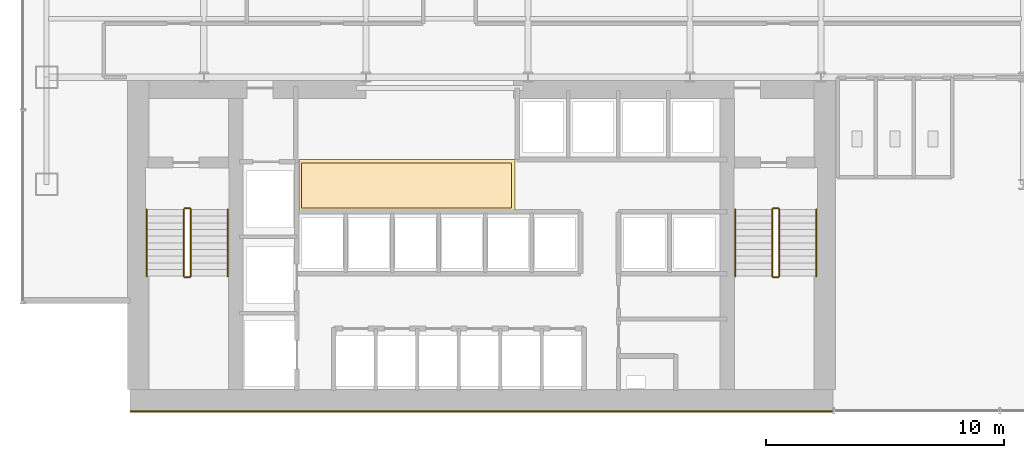
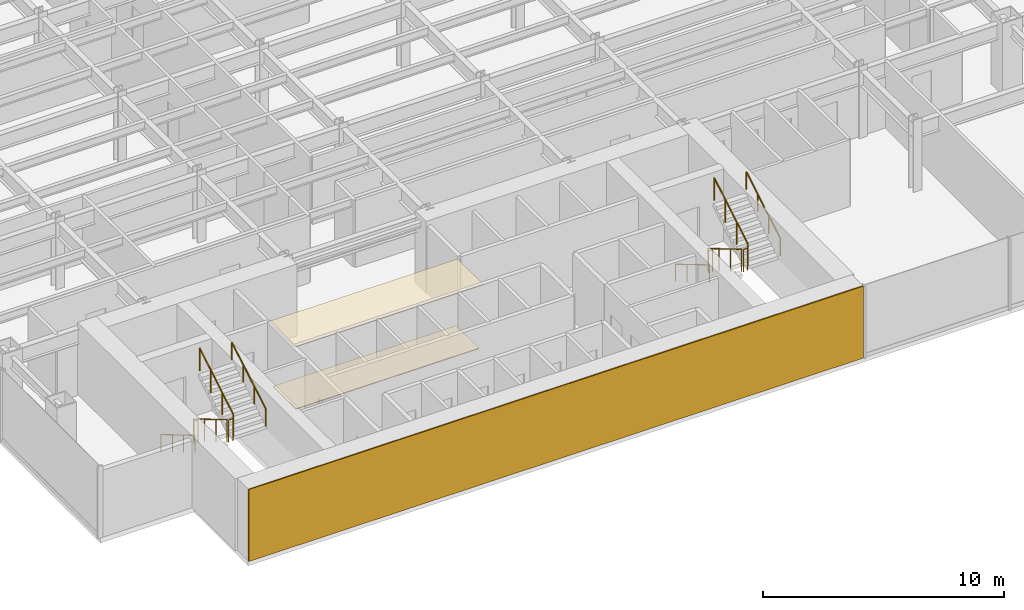
# One storey, part 20 of 22: 12 railings, 3 coverings.
"""IFC4 building model written with IfcOpenShell, lengths in metres."""

import ifcopenshell
import ifcopenshell.guid

model = None  # the IFC model being written
_history = None  # IfcOwnerHistory: only IFC2X3 demands one
_inside = {}  # id of a spatial element -> (the spatial element, [elements in it])
_under = {}  # id of a project, library or spatial element -> (it, [spatial elements below it])
_declared = {}  # id of a project -> (the project, [libraries it declares])
_typed = {}  # id of a type object -> (the type object, [elements of that type])
_made_of = {}  # id of a material, layer set ... -> (it, [elements and type objects made of it])


def new_model(schema):
    """Start an empty IFC model of exactly this schema.

    Asked for "IFC4X3", IfcOpenShell would pick the latest addendum, in which some entities
    have other attributes; the version numbers below select the first issue.
    IFC2X3 requires an IfcOwnerHistory on every rooted entity: one is made here for all.
    """
    global model, _history
    if schema == "IFC4X3":
        model = ifcopenshell.file(schema_version=(4, 3, 0, 0))
    else:
        model = ifcopenshell.file(schema=schema)
    _inside.clear()
    _under.clear()
    _declared.clear()
    _typed.clear()
    _made_of.clear()
    _history = None
    if model.schema == "IFC2X3":
        org = make("IfcOrganization", Name="unknown")
        user = make(
            "IfcPersonAndOrganization",
            ThePerson=make("IfcPerson", FamilyName="unknown"),
            TheOrganization=org,
        )
        app = make(
            "IfcApplication",
            ApplicationDeveloper=org,
            Version="unknown",
            ApplicationFullName="unknown",
            ApplicationIdentifier="unknown",
        )
        _history = make(
            "IfcOwnerHistory",
            OwningUser=user,
            OwningApplication=app,
            ChangeAction="ADDED",
            CreationDate=0,
        )
    return model


def make(cls, **values):
    """One entity of the class cls with the attributes given. An attribute that is None is left unset."""
    return model.create_entity(
        cls, **{name: value for name, value in values.items() if value is not None}
    )


def rooted(cls, **values):
    """An entity with a GlobalId (a new one), such as an element, a storey or a relation."""
    return make(cls, GlobalId=ifcopenshell.guid.new(), OwnerHistory=_history, **values)


def si_unit(unit_type, name, prefix=None):
    """IfcSIUnit, for example si_unit("LENGTHUNIT", "METRE", prefix="MILLI")."""
    return make("IfcSIUnit", UnitType=unit_type, Prefix=prefix, Name=name)


def derived_unit(unit_type, elements):
    """IfcDerivedUnit: a product of units, each with its exponent."""
    return make(
        "IfcDerivedUnit",
        Elements=[
            make("IfcDerivedUnitElement", Unit=unit, Exponent=power)
            for unit, power in elements
        ],
        UnitType=unit_type,
    )


def assignment(units):
    """IfcUnitAssignment: the units of a project."""
    return None if units is None else make("IfcUnitAssignment", Units=units)


def point(xyz):
    """IfcCartesianPoint."""
    return None if xyz is None else make("IfcCartesianPoint", Coordinates=xyz)


def direction(xyz):
    """IfcDirection."""
    return None if xyz is None else make("IfcDirection", DirectionRatios=xyz)


def frame(location, z_axis=None, x_axis=None):
    """IfcAxis2Placement3D, a coordinate frame: its origin and axes. An axis left out is left unset."""
    return make(
        "IfcAxis2Placement3D",
        Location=point(location),
        Axis=direction(z_axis),
        RefDirection=direction(x_axis),
    )


def frame_2d(location, x_axis=None):
    """IfcAxis2Placement2D, a coordinate frame in the plane: its origin and x axis."""
    return make(
        "IfcAxis2Placement2D", Location=point(location), RefDirection=direction(x_axis)
    )


def origin():
    """The frame at (0, 0, 0) with its axes left unset."""
    return frame((0.0, 0.0, 0.0))


def origin_2d():
    """The frame at (0, 0) in the plane with its x axis left unset."""
    return frame_2d((0.0, 0.0))


def place(relative_to, where):
    """IfcLocalPlacement: puts the frame where relative to a parent placement (None: the world)."""
    return make(
        "IfcLocalPlacement", PlacementRelTo=relative_to, RelativePlacement=where
    )


def context(
    kind, dimensions, precision=None, world=None, true_north=None, identifier=None
):
    """IfcGeometricRepresentationContext, for example the 3D "Model" context."""
    return make(
        "IfcGeometricRepresentationContext",
        ContextIdentifier=identifier,
        ContextType=kind,
        CoordinateSpaceDimension=dimensions,
        Precision=precision,
        WorldCoordinateSystem=world,
        TrueNorth=true_north,
    )


def subcontext(parent, identifier, kind, view, scale=None):
    """IfcGeometricRepresentationSubContext, for example "Body" below "Model"."""
    return make(
        "IfcGeometricRepresentationSubContext",
        ContextIdentifier=identifier,
        ContextType=kind,
        ParentContext=parent,
        TargetScale=scale,
        TargetView=view,
    )


def project(units=None, contexts=None):
    """IfcProject with its units and contexts."""
    return rooted(
        "IfcProject",
        Name="project",
        RepresentationContexts=contexts,
        UnitsInContext=assignment(units),
    )


def spatial(cls, under=None, at=None, **own):
    """A site, building, storey or space (cls), placed at a placement, below another one or the project."""
    s = rooted(cls, ObjectPlacement=at, **own)
    if under is not None:
        _under.setdefault(under.id(), (under, []))[1].append(s)
    return s


def polyline(points):
    """IfcPolyline through the points."""
    return make("IfcPolyline", Points=[point(p) for p in points])


def profile(cls, at=None, kind="AREA", **sizes):
    """A parametric profile (cls). Its sizes go by their IFC names, for example OverallWidth=200.0."""
    return make(cls, ProfileType=kind, Position=at, **sizes)


def rectangle(**sizes):
    """IfcRectangleProfileDef."""
    return profile("IfcRectangleProfileDef", **sizes)


def circle(**sizes):
    """IfcCircleProfileDef."""
    return profile("IfcCircleProfileDef", **sizes)


def outline(outer, holes=None, kind="AREA"):
    """IfcArbitraryClosedProfileDef: a profile drawn as a closed curve; with holes, ...WithVoids."""
    if holes is None:
        return make("IfcArbitraryClosedProfileDef", ProfileType=kind, OuterCurve=outer)
    return make(
        "IfcArbitraryProfileDefWithVoids",
        ProfileType=kind,
        OuterCurve=outer,
        InnerCurves=holes,
    )


def extrude(swept, where, along, depth):
    """IfcExtrudedAreaSolid: the profile swept, set in the frame where, extruded along a direction by depth."""
    return make(
        "IfcExtrudedAreaSolid",
        SweptArea=swept,
        Position=where,
        ExtrudedDirection=direction(along),
        Depth=depth,
    )


def shape(context_of_items, identifier, shape_type, items):
    """IfcShapeRepresentation: the items that make up one representation, for example the "Body"."""
    return make(
        "IfcShapeRepresentation",
        ContextOfItems=context_of_items,
        RepresentationIdentifier=identifier,
        RepresentationType=shape_type,
        Items=items,
    )


def source(mapping_origin, context_of_items, identifier, shape_type, items):
    """IfcRepresentationMap: a shape defined once, which mapped items show again and again."""
    return make(
        "IfcRepresentationMap",
        MappingOrigin=mapping_origin,
        MappedRepresentation=shape(context_of_items, identifier, shape_type, items),
    )


def transform(
    local_origin,
    x_axis=None,
    y_axis=None,
    z_axis=None,
    scale=None,
    scale2=None,
    scale3=None,
    uniform=True,
):
    """IfcCartesianTransformationOperator3D, or its non-uniform kind. x_axis, y_axis, z_axis: its Axis1, 2, 3."""
    if uniform:
        return make(
            "IfcCartesianTransformationOperator3D",
            Axis1=direction(x_axis),
            Axis2=direction(y_axis),
            LocalOrigin=point(local_origin),
            Scale=scale,
            Axis3=direction(z_axis),
        )
    return make(
        "IfcCartesianTransformationOperator3DnonUniform",
        Axis1=direction(x_axis),
        Axis2=direction(y_axis),
        LocalOrigin=point(local_origin),
        Scale=scale,
        Axis3=direction(z_axis),
        Scale2=scale2,
        Scale3=scale3,
    )


def mapped(mapping_source, mapping_target):
    """IfcMappedItem: shows the shape of a source again, moved by a transform."""
    return make(
        "IfcMappedItem", MappingSource=mapping_source, MappingTarget=mapping_target
    )


def material(Name=None, Category=None):
    """IfcMaterial."""
    return make("IfcMaterial", Name=Name, Category=Category)


def layer(
    of_material, thickness, ventilated=None, Name=None, Category=None, Priority=None
):
    """IfcMaterialLayer: one layer of a wall or slab, of a material (None: an air gap)."""
    return make(
        "IfcMaterialLayer",
        Material=of_material,
        LayerThickness=thickness,
        IsVentilated=ventilated,
        Name=Name,
        Category=Category,
        Priority=Priority,
    )


def layer_set(layers, Name=None):
    """IfcMaterialLayerSet."""
    return make("IfcMaterialLayerSet", MaterialLayers=layers, LayerSetName=Name)


def made_of(thing, what):
    """Note that an element or type object is made of a material, layer set ...; save() writes the relation."""
    if what is not None:
        _made_of.setdefault(what.id(), (what, []))[1].append(thing)
    return thing


def type_object(cls, material=None, **own):
    """A type object (cls), such as IfcWallType, which elements share."""
    return made_of(rooted(cls, **own), material)


def element(
    cls,
    number,
    at=None,
    inside=None,
    cuts=None,
    type_object=None,
    material=None,
    context=None,
    identifier="Body",
    shape_type=None,
    held_by="IfcProductDefinitionShape",
    body=None,
    shapes=None,
    **own,
):
    """One element of the class cls, such as IfcWall. Its Tag is "e" and its number.

    at: its placement. inside: the storey or other place that contains it. cuts: it is an
    opening in that element (IfcRelVoidsElement). A single representation is given by context,
    identifier, shape_type and body (its items); several are given by shapes. held_by: the class
    of the entity that holds the representations. save() writes the other relations.
    """
    e = rooted(cls, Tag="e%d" % number, ObjectPlacement=at, **own)
    if body is not None:
        shapes = [shape(context, identifier, shape_type, body)]
    if shapes is not None:
        e.Representation = make(held_by, Representations=shapes)
    if inside is not None:
        _inside.setdefault(inside.id(), (inside, []))[1].append(e)
    if cuts is not None:
        rooted(
            "IfcRelVoidsElement", RelatingBuildingElement=cuts, RelatedOpeningElement=e
        )
    if type_object is not None:
        _typed.setdefault(type_object.id(), (type_object, []))[1].append(e)
    return made_of(e, material)


def aggregate(whole, parts):
    """IfcRelAggregates: a whole, such as a stair, and the parts it consists of."""
    return rooted("IfcRelAggregates", RelatingObject=whole, RelatedObjects=parts)


def save(model, path):
    """Write the relations noted so far, then the file.

    IfcRelAggregates (storeys below a building ...), IfcRelContainedInSpatialStructure (elements
    in a storey), IfcRelDefinesByType, IfcRelAssociatesMaterial and IfcRelDeclares: one each for
    every whole, place, type object, material and project.
    """
    for whole, parts in _under.values():
        aggregate(whole, parts)
    for where, things in _inside.values():
        rooted(
            "IfcRelContainedInSpatialStructure",
            RelatedElements=things,
            RelatingStructure=where,
        )
    for kind, things in _typed.values():
        rooted("IfcRelDefinesByType", RelatedObjects=things, RelatingType=kind)
    for what, things in _made_of.values():
        rooted("IfcRelAssociatesMaterial", RelatedObjects=things, RelatingMaterial=what)
    for by, libraries in _declared.values():
        rooted("IfcRelDeclares", RelatingContext=by, RelatedDefinitions=libraries)
    model.write(path)


model = new_model("IFC4")

# Units and contexts
model_context = context("Model", 3, precision=1e-05, world=origin(), true_north=direction((0.0, 1.0)))
body_context = subcontext(model_context, "Body", "Model", "MODEL_VIEW")
ifc_project = project(units=[si_unit("LENGTHUNIT", "METRE"), si_unit("AREAUNIT", "SQUARE_METRE"), si_unit("VOLUMEUNIT", "CUBIC_METRE"), si_unit("PLANEANGLEUNIT", "RADIAN"), si_unit("MASSUNIT", "GRAM", prefix="KILO"), derived_unit("THERMALTRANSMITTANCEUNIT", [(si_unit("POWERUNIT", "WATT"), 1), (si_unit("LENGTHUNIT", "METRE"), -2), (si_unit("THERMODYNAMICTEMPERATUREUNIT", "KELVIN"), -1)])], contexts=[model_context])

# Site, building, storey
site_placement = place(None, origin())
site = spatial("IfcSite", under=ifc_project, at=site_placement, CompositionType="ELEMENT")
building_placement = place(site_placement, origin())
building = spatial("IfcBuilding", under=site, at=building_placement, Name="Skarnbrae Concourse Arena and Tower", CompositionType="ELEMENT")
storey_placement = place(building_placement, frame((0.0, 0.0, 76.300048828125)))
storey = spatial("IfcBuildingStorey", under=building, at=storey_placement, Name="L18", CompositionType="ELEMENT", Elevation=76.300048828125)

# Coverings
ifc_material_1 = material(Name="Mineral fibre acoustic ceiling tile", Category="other")
ifc_layer_1 = layer(ifc_material_1, 0.0400390625)
ifc_layer_set_1 = layer_set([ifc_layer_1], Name="Mineral fibre acoustic ceiling tile")
covering_type_1 = type_object("IfcCoveringType", Name="COV-CEIL-ACOUSTIC", PredefinedType="CEILING", material=ifc_layer_set_1)
covering_1_placement = place(storey_placement, frame((0.0, 0.0, 3.239990234375)))
element("IfcCovering", 1, at=covering_1_placement, inside=storey, type_object=covering_type_1, Name="L18 Lift lobby acoustic ceiling", PredefinedType="CEILING", context=body_context, shape_type="SweptSolid", body=[
    extrude(outline(polyline([(11.60009765625, 8.39990234375), (20.64990234375, 8.39990234375), (20.64990234375, 10.550048828125), (11.60009765625, 10.550048828125), (11.60009765625, 8.39990234375)])), origin(), (0.0, 0.0, 1.0), 0.0400390625),
])
ifc_material_2 = material(Name="Polished granite terrazzo flooring", Category="masonry")
ifc_layer_2 = layer(ifc_material_2, 0.0400390625)
ifc_layer_set_2 = layer_set([ifc_layer_2], Name="Polished granite terrazzo flooring")
covering_type_2 = type_object("IfcCoveringType", Name="COV-FLOOR-TERRAZZO", PredefinedType="FLOORING", material=ifc_layer_set_2)
covering_2_placement = place(storey_placement, origin())
element("IfcCovering", 2, at=covering_2_placement, inside=storey, type_object=covering_type_2, Name="L18 Lift lobby terrazzo flooring", PredefinedType="FLOORING", context=body_context, shape_type="SweptSolid", body=[
    extrude(outline(polyline([(11.699951171875, 8.5), (20.5, 8.5), (20.5, 10.39990234375), (11.699951171875, 10.39990234375), (11.699951171875, 8.5)])), origin(), (0.0, 0.0, 1.0), 0.0400390625),
])

# Railings
ifc_material_3 = material(Name="Steel CSA G40.21 350W", Category="steel")
railing_type_1 = type_object("IfcRailingType", Name="RAIL-HANDRAIL-900", PredefinedType="HANDRAIL", material=ifc_material_3)
railing_1_placement = place(storey_placement, frame((5.199951171875, 8.449951171875, 0.165771484375)))
element("IfcRailing", 3, at=railing_1_placement, inside=storey, type_object=railing_type_1, Name="L18 ST-1 stair handrail 1", PredefinedType="HANDRAIL", context=body_context, shape_type="SweptSolid", body=[
    extrude(circle(Radius=0.02392578125, at=origin_2d()), frame((0.0, 0.0, 0.8759765625), z_axis=(0.0, -0.860306154799, 0.50977771628), x_axis=(1.0, 0.0, 0.0)), (0.0, 0.0, 1.0), 3.254638671875),
    extrude(circle(Radius=0.02099609375, at=origin_2d()), origin(), (0.0, 0.0, 1.0), 0.851806640625),
    extrude(circle(Radius=0.02099609375, at=origin_2d()), frame((0.0, -0.933349609375, 0.552978515625)), (0.0, 0.0, 1.0), 0.851806640625),
    extrude(circle(Radius=0.02099609375, at=origin_2d()), frame((0.0, -1.86669921875, 1.106201171875)), (0.0, 0.0, 1.0), 0.851806640625),
    extrude(circle(Radius=0.02099609375, at=origin_2d()), frame((0.0, -2.800048828125, 1.6591796875)), (0.0, 0.0, 1.0), 0.851806640625),
])
railing_2_placement = place(storey_placement, frame((8.60009765625, 5.64990234375, 1.990966796875)))
element("IfcRailing", 4, at=railing_2_placement, inside=storey, type_object=railing_type_1, Name="L18 ST-1 stair handrail 2", PredefinedType="HANDRAIL", context=body_context, shape_type="SweptSolid", body=[
    extrude(circle(Radius=0.02392578125, at=origin_2d()), frame((0.0, 0.0, 0.8759765625), z_axis=(0.0, 0.860339051648, 0.50972219513), x_axis=(-1.0, 0.0, 0.0)), (0.0, 0.0, 1.0), 3.254638671875),
    extrude(circle(Radius=0.02099609375, at=origin_2d()), origin(), (0.0, 0.0, 1.0), 0.851806640625),
    extrude(circle(Radius=0.02099609375, at=origin_2d()), frame((0.0, 0.933349609375, 0.552978515625)), (0.0, 0.0, 1.0), 0.851806640625),
    extrude(circle(Radius=0.02099609375, at=origin_2d()), frame((0.0, 1.86669921875, 1.10595703125)), (0.0, 0.0, 1.0), 0.851806640625),
    extrude(circle(Radius=0.02099609375, at=origin_2d()), frame((0.0, 2.800048828125, 1.658935546875)), (0.0, 0.0, 1.0), 0.851806640625),
])
railing_3_placement = place(storey_placement, frame((29.89990234375, 8.449951171875, 0.165771484375)))
element("IfcRailing", 5, at=railing_3_placement, inside=storey, type_object=railing_type_1, Name="L18 ST-2 stair handrail 1", PredefinedType="HANDRAIL", context=body_context, shape_type="SweptSolid", body=[
    extrude(circle(Radius=0.02392578125, at=origin_2d()), frame((0.0, 0.0, 0.8759765625), z_axis=(0.0, -0.860306154799, 0.50977771628), x_axis=(1.0, 0.0, 0.0)), (0.0, 0.0, 1.0), 3.254638671875),
    extrude(circle(Radius=0.02099609375, at=origin_2d()), origin(), (0.0, 0.0, 1.0), 0.851806640625),
    extrude(circle(Radius=0.02099609375, at=origin_2d()), frame((0.0, -0.933349609375, 0.552978515625)), (0.0, 0.0, 1.0), 0.851806640625),
    extrude(circle(Radius=0.02099609375, at=origin_2d()), frame((0.0, -1.86669921875, 1.106201171875)), (0.0, 0.0, 1.0), 0.851806640625),
    extrude(circle(Radius=0.02099609375, at=origin_2d()), frame((0.0, -2.800048828125, 1.6591796875)), (0.0, 0.0, 1.0), 0.851806640625),
])
railing_4_placement = place(storey_placement, frame((33.300048828125, 5.64990234375, 1.990966796875)))
element("IfcRailing", 6, at=railing_4_placement, inside=storey, type_object=railing_type_1, Name="L18 ST-2 stair handrail 2", PredefinedType="HANDRAIL", context=body_context, shape_type="SweptSolid", body=[
    extrude(circle(Radius=0.02392578125, at=origin_2d()), frame((0.0, 0.0, 0.8759765625), z_axis=(0.0, 0.860339051648, 0.50972219513), x_axis=(-1.0, 0.0, 0.0)), (0.0, 0.0, 1.0), 3.254638671875),
    extrude(circle(Radius=0.02099609375, at=origin_2d()), origin(), (0.0, 0.0, 1.0), 0.851806640625),
    extrude(circle(Radius=0.02099609375, at=origin_2d()), frame((0.0, 0.933349609375, 0.552978515625)), (0.0, 0.0, 1.0), 0.851806640625),
    extrude(circle(Radius=0.02099609375, at=origin_2d()), frame((0.0, 1.86669921875, 1.10595703125)), (0.0, 0.0, 1.0), 0.851806640625),
    extrude(circle(Radius=0.02099609375, at=origin_2d()), frame((0.0, 2.800048828125, 1.658935546875)), (0.0, 0.0, 1.0), 0.851806640625),
])
railing_type_2 = type_object("IfcRailingType", Name="RAIL-STAIR-GUARD-1150", PredefinedType="GUARDRAIL", material=ifc_material_3)
railing_5_placement = place(storey_placement, frame((6.75, 8.449951171875, 0.165771484375)))
element("IfcRailing", 7, at=railing_5_placement, inside=storey, type_object=railing_type_2, Name="L18 ST-1 stair guard 1", PredefinedType="GUARDRAIL", context=body_context, shape_type="SweptSolid", body=[
    extrude(circle(Radius=0.02392578125, at=origin_2d()), frame((0.0, 0.0, 1.1259765625), z_axis=(0.0, -0.860306154799, 0.50977771628), x_axis=(1.0, 0.0, 0.0)), (0.0, 0.0, 1.0), 3.254638671875),
    extrude(circle(Radius=0.02099609375, at=origin_2d()), origin(), (0.0, 0.0, 1.0), 1.101806640625),
    extrude(circle(Radius=0.02099609375, at=origin_2d()), frame((0.0, -0.933349609375, 0.552978515625)), (0.0, 0.0, 1.0), 1.101806640625),
    extrude(circle(Radius=0.02099609375, at=origin_2d()), frame((0.0, -1.86669921875, 1.106201171875)), (0.0, 0.0, 1.0), 1.101806640625),
    extrude(circle(Radius=0.02099609375, at=origin_2d()), frame((0.0, -2.800048828125, 1.6591796875)), (0.0, 0.0, 1.0), 1.101806640625),
])
railing_6_placement = place(storey_placement, frame((6.800048828125, 5.60009765625, 1.824951171875)))
element("IfcRailing", 8, at=railing_6_placement, inside=storey, type_object=railing_type_2, Name="L18 ST-1 stair guard 2", PredefinedType="GUARDRAIL", context=body_context, shape_type="SweptSolid", body=[
    extrude(circle(Radius=0.02392578125, at=origin_2d()), frame((0.0, 0.0, 1.1259765625), z_axis=(1.0, 0.0, 0.0), x_axis=(0.0, 1.0, 0.0)), (0.0, 0.0, 1.0), 0.199951171875),
    extrude(circle(Radius=0.02099609375, at=origin_2d()), origin(), (0.0, 0.0, 1.0), 1.101806640625),
    extrude(circle(Radius=0.02099609375, at=origin_2d()), frame((0.199951171875, 0.0, 0.0)), (0.0, 0.0, 1.0), 1.101806640625),
])
railing_7_placement = place(storey_placement, frame((7.050048828125, 5.64990234375, 1.990966796875)))
element("IfcRailing", 9, at=railing_7_placement, inside=storey, type_object=railing_type_2, Name="L18 ST-1 stair guard 3", PredefinedType="GUARDRAIL", context=body_context, shape_type="SweptSolid", body=[
    extrude(circle(Radius=0.02392578125, at=origin_2d()), frame((0.0, 0.0, 1.1259765625), z_axis=(0.0, 0.860339051648, 0.50972219513), x_axis=(-1.0, 0.0, 0.0)), (0.0, 0.0, 1.0), 3.254638671875),
    extrude(circle(Radius=0.02099609375, at=origin_2d()), origin(), (0.0, 0.0, 1.0), 1.101806640625),
    extrude(circle(Radius=0.02099609375, at=origin_2d()), frame((0.0, 0.933349609375, 0.552978515625)), (0.0, 0.0, 1.0), 1.101806640625),
    extrude(circle(Radius=0.02099609375, at=origin_2d()), frame((0.0, 1.86669921875, 1.10595703125)), (0.0, 0.0, 1.0), 1.101806640625),
    extrude(circle(Radius=0.02099609375, at=origin_2d()), frame((0.0, 2.800048828125, 1.658935546875)), (0.0, 0.0, 1.0), 1.101806640625),
])
railing_8_placement = place(storey_placement, frame((6.800048828125, 8.5, 0.0)))
element("IfcRailing", 10, at=railing_8_placement, inside=storey, type_object=railing_type_2, Name="L18 ST-1 stair guard 4", PredefinedType="GUARDRAIL", context=body_context, shape_type="SweptSolid", body=[
    extrude(circle(Radius=0.02392578125, at=origin_2d()), frame((0.0, 0.0, 1.1259765625), z_axis=(1.0, 0.0, 0.0), x_axis=(0.0, 1.0, 0.0)), (0.0, 0.0, 1.0), 0.199951171875),
    extrude(circle(Radius=0.02099609375, at=origin_2d()), origin(), (0.0, 0.0, 1.0), 1.101806640625),
    extrude(circle(Radius=0.02099609375, at=origin_2d()), frame((0.199951171875, 0.0, 0.0)), (0.0, 0.0, 1.0), 1.101806640625),
])
railing_9_placement = place(storey_placement, frame((31.449951171875, 8.449951171875, 0.165771484375)))
element("IfcRailing", 11, at=railing_9_placement, inside=storey, type_object=railing_type_2, Name="L18 ST-2 stair guard 1", PredefinedType="GUARDRAIL", context=body_context, shape_type="SweptSolid", body=[
    extrude(circle(Radius=0.02392578125, at=origin_2d()), frame((0.0, 0.0, 1.1259765625), z_axis=(0.0, -0.860306154799, 0.50977771628), x_axis=(1.0, 0.0, 0.0)), (0.0, 0.0, 1.0), 3.254638671875),
    extrude(circle(Radius=0.02099609375, at=origin_2d()), origin(), (0.0, 0.0, 1.0), 1.101806640625),
    extrude(circle(Radius=0.02099609375, at=origin_2d()), frame((0.0, -0.933349609375, 0.552978515625)), (0.0, 0.0, 1.0), 1.101806640625),
    extrude(circle(Radius=0.02099609375, at=origin_2d()), frame((0.0, -1.86669921875, 1.106201171875)), (0.0, 0.0, 1.0), 1.101806640625),
    extrude(circle(Radius=0.02099609375, at=origin_2d()), frame((0.0, -2.800048828125, 1.6591796875)), (0.0, 0.0, 1.0), 1.101806640625),
])
railing_10_placement = place(storey_placement, frame((31.5, 5.60009765625, 1.824951171875)))
element("IfcRailing", 12, at=railing_10_placement, inside=storey, type_object=railing_type_2, Name="L18 ST-2 stair guard 2", PredefinedType="GUARDRAIL", context=body_context, shape_type="SweptSolid", body=[
    extrude(circle(Radius=0.02392578125, at=origin_2d()), frame((0.0, 0.0, 1.1259765625), z_axis=(1.0, 0.0, 0.0), x_axis=(0.0, 1.0, 0.0)), (0.0, 0.0, 1.0), 0.199951171875),
    extrude(circle(Radius=0.02099609375, at=origin_2d()), origin(), (0.0, 0.0, 1.0), 1.101806640625),
    extrude(circle(Radius=0.02099609375, at=origin_2d()), frame((0.199951171875, 0.0, 0.0)), (0.0, 0.0, 1.0), 1.101806640625),
])
railing_11_placement = place(storey_placement, frame((31.75, 5.64990234375, 1.990966796875)))
element("IfcRailing", 13, at=railing_11_placement, inside=storey, type_object=railing_type_2, Name="L18 ST-2 stair guard 3", PredefinedType="GUARDRAIL", context=body_context, shape_type="SweptSolid", body=[
    extrude(circle(Radius=0.02392578125, at=origin_2d()), frame((0.0, 0.0, 1.1259765625), z_axis=(0.0, 0.860339051648, 0.50972219513), x_axis=(-1.0, 0.0, 0.0)), (0.0, 0.0, 1.0), 3.254638671875),
    extrude(circle(Radius=0.02099609375, at=origin_2d()), origin(), (0.0, 0.0, 1.0), 1.101806640625),
    extrude(circle(Radius=0.02099609375, at=origin_2d()), frame((0.0, 0.933349609375, 0.552978515625)), (0.0, 0.0, 1.0), 1.101806640625),
    extrude(circle(Radius=0.02099609375, at=origin_2d()), frame((0.0, 1.86669921875, 1.10595703125)), (0.0, 0.0, 1.0), 1.101806640625),
    extrude(circle(Radius=0.02099609375, at=origin_2d()), frame((0.0, 2.800048828125, 1.658935546875)), (0.0, 0.0, 1.0), 1.101806640625),
])
railing_12_placement = place(storey_placement, frame((31.5, 8.5, 0.0)))
element("IfcRailing", 14, at=railing_12_placement, inside=storey, type_object=railing_type_2, Name="L18 ST-2 stair guard 4", PredefinedType="GUARDRAIL", context=body_context, shape_type="SweptSolid", body=[
    extrude(circle(Radius=0.02392578125, at=origin_2d()), frame((0.0, 0.0, 1.1259765625), z_axis=(1.0, 0.0, 0.0), x_axis=(0.0, 1.0, 0.0)), (0.0, 0.0, 1.0), 0.199951171875),
    extrude(circle(Radius=0.02099609375, at=origin_2d()), origin(), (0.0, 0.0, 1.0), 1.101806640625),
    extrude(circle(Radius=0.02099609375, at=origin_2d()), frame((0.199951171875, 0.0, 0.0)), (0.0, 0.0, 1.0), 1.101806640625),
])

# Covering
ifc_material_4 = material(Name="Bronze anodised aluminium 6063-T6", Category="aluminium")
ifc_layer_3 = layer(ifc_material_4, 0.06005859375)
ifc_layer_set_3 = layer_set([ifc_layer_3], Name="Bronze anodised aluminium 6063-T6")
covering_type_3 = type_object("IfcCoveringType", Name="COV-CLAD-BRONZE-60", PredefinedType="CLADDING", material=ifc_layer_set_3)
shared_shape = source(origin(), body_context, "Body", "SweptSolid", [
    extrude(rectangle(XDim=29.5, YDim=0.06005859375, at=origin_2d()), origin(), (0.0, 0.0, 1.0), 3.64990234375),
])
covering_3_placement = place(storey_placement, frame((19.25, -0.030029296875, 0.0), z_axis=(0.0, 0.0, 1.0), x_axis=(1.0, 0.0, 0.0)))
element("IfcCovering", 15, at=covering_3_placement, inside=storey, type_object=covering_type_3, Name="L18 Rear-core plumb spine bronze rainscreen panel", PredefinedType="CLADDING", context=body_context, shape_type="MappedRepresentation", body=[
    mapped(shared_shape, transform((0.0, 0.0, 0.0))),
])

save(model, "model.ifc")
